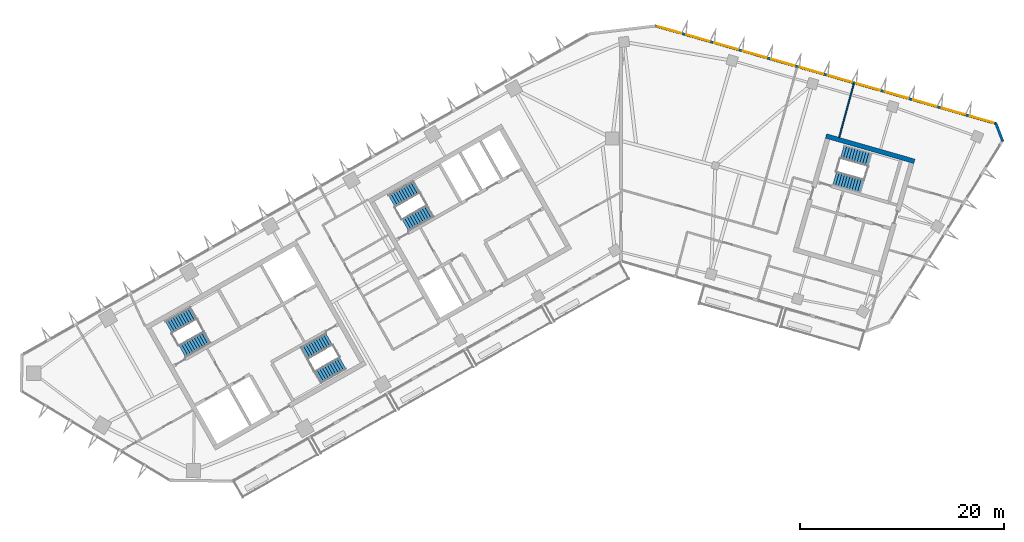
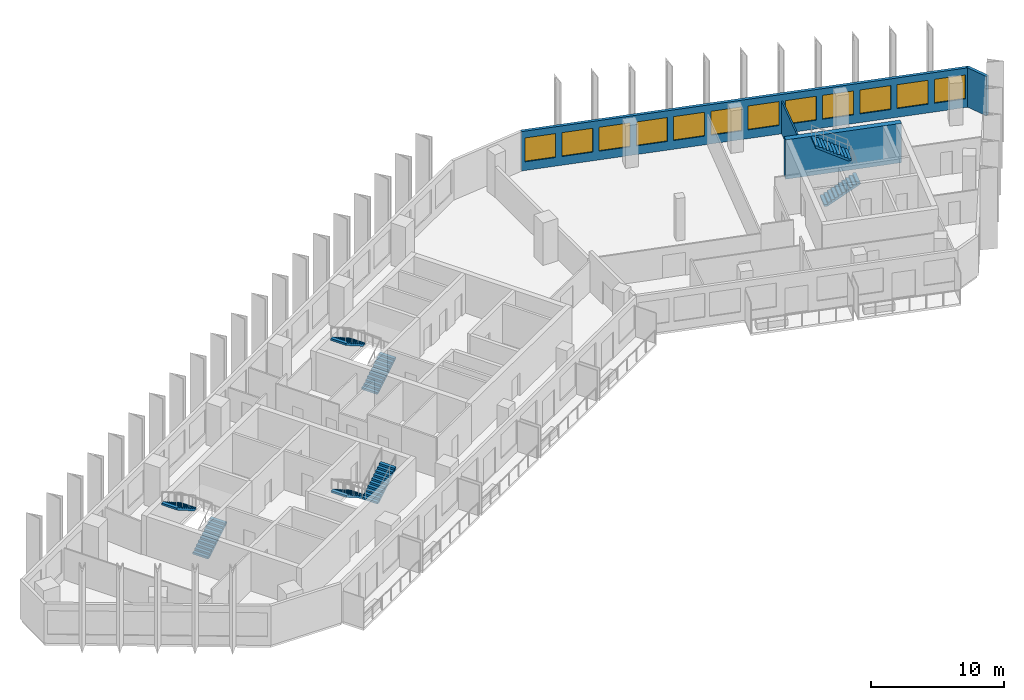
# One storey, part 8 of 11: 12 windows, 8 stair flights, 4 walls, 12 openings, 4 elements without a shape of their own.
"""IFC4 building model written with IfcOpenShell, lengths in metres."""

from ifc_helpers import new_model, si_unit, direction, frame, frame_2d, origin, place, context, subcontext, project, spatial, polyline, rectangle, outline, extrude, material, layer, layer_set, type_object, element, fill, aggregate, save


model = new_model("IFC4")

# Units and contexts
model_context = context("Model", 3, precision=1e-05, world=origin(), true_north=direction((0.0, 1.0)))
body_context = subcontext(model_context, "Body", "Model", "MODEL_VIEW")
ifc_project = project(units=[si_unit("LENGTHUNIT", "METRE"), si_unit("AREAUNIT", "SQUARE_METRE"), si_unit("VOLUMEUNIT", "CUBIC_METRE"), si_unit("PLANEANGLEUNIT", "RADIAN"), si_unit("MASSUNIT", "GRAM", prefix="KILO")], contexts=[model_context])

# Site, building, storey
site_placement = place(None, origin())
site = spatial("IfcSite", under=ifc_project, at=site_placement, CompositionType="ELEMENT")
building_placement = place(site_placement, origin())
building = spatial("IfcBuilding", under=site, at=building_placement, Name="Binnacle Exchange Tower", CompositionType="ELEMENT")
storey_placement = place(building_placement, frame((0.0, 0.0, 223.10009765625)))
storey = spatial("IfcBuildingStorey", under=building, at=storey_placement, Name="L49", CompositionType="ELEMENT", Elevation=223.10009765625)

# Walls
ifc_material_1 = material(Name="Concrete C70/85", Category="concrete")
ifc_layer_1 = layer(ifc_material_1, 0.449951171875)
ifc_layer_set_1 = layer_set([ifc_layer_1], Name="Core wall - outer 450")
wall_type_1 = type_object("IfcWallType", Name="Core wall - outer 450", PredefinedType="SOLIDWALL", material=ifc_layer_set_1)
wall_1_placement = place(storey_placement, frame((20.073486328125, 60.251708984375, 0.0), z_axis=(0.0, 0.0, 1.0), x_axis=(0.96126248289, -0.275634611374, 0.0)))
element("IfcWall", 1, at=wall_1_placement, inside=storey, type_object=wall_type_1, Name="Core wall CRWD6", PredefinedType="SOLIDWALL", context=body_context, shape_type="SweptSolid", body=[
    extrude(rectangle(XDim=9.0, YDim=0.449951171875, at=frame_2d((4.5, 0.0))), origin(), (0.0, 0.0, 1.0), 3.619873046875),
])
ifc_material_2 = material(Name="Bronze aluminium cladding", Category="aluminium")
ifc_layer_2 = layer(ifc_material_2, 0.25)
ifc_layer_set_2 = layer_set([ifc_layer_2], Name="External wall - window wall 250")
wall_type_2 = type_object("IfcWallType", Name="External wall - window wall 250", PredefinedType="STANDARD", material=ifc_layer_set_2)
wall_2_placement = place(storey_placement, frame((36.68994140625, 61.531005859375, 0.0), z_axis=(0.0, 0.0, 1.0), x_axis=(0.358377147136, -0.933576895821, 0.0)))
element("IfcWall", 2, at=wall_2_placement, inside=storey, type_object=wall_type_2, Name="External wall EW-G05 L49", PredefinedType="STANDARD", context=body_context, shape_type="SweptSolid", body=[
    extrude(rectangle(XDim=1.929931640625, YDim=0.25, at=frame_2d((0.96484375, 0.0))), origin(), (0.0, 0.0, 1.0), 3.619873046875),
])

# Wall, openings, windows
wall_3_placement = place(storey_placement, frame((3.34033203125, 71.042236328125, 0.0), z_axis=(0.0, 0.0, 1.0), x_axis=(0.96126179431, -0.275637012753, 0.0)))
wall_3 = element("IfcWall", 3, at=wall_3_placement, inside=storey, type_object=wall_type_2, Name="External wall EW-G06 L49", PredefinedType="STANDARD", context=body_context, shape_type="SweptSolid", body=[
    extrude(rectangle(XDim=34.779052734375, YDim=0.25, at=frame_2d((17.3896484375, 0.0))), origin(), (0.0, 0.0, 1.0), 3.619873046875),
])
opening_1_placement = place(wall_3_placement, frame((32.0712890625, 0.0, 0.800048828125)))
opening_1 = element("IfcOpeningElement", 4, at=opening_1_placement, cuts=wall_3, Name="Opening WR1", PredefinedType="OPENING", context=body_context, shape_type="SweptSolid", body=[
    extrude(rectangle(XDim=2.39990234375, YDim=2.199951171875, at=frame_2d((1.199951171875, 1.10009765625))), frame((0.0, 0.135009765625, 0.0), z_axis=(0.0, -1.0, 0.0), x_axis=(1.0, 0.0, 0.0)), (0.0, 0.0, 1.0), 0.27001953125),
])
opening_2_placement = place(wall_3_placement, frame((29.180419921875, 0.0, 0.800048828125)))
opening_2 = element("IfcOpeningElement", 5, at=opening_2_placement, cuts=wall_3, Name="Opening WR1", PredefinedType="OPENING", context=body_context, shape_type="SweptSolid", body=[
    extrude(rectangle(XDim=2.39990234375, YDim=2.199951171875, at=frame_2d((1.199951171875, 1.10009765625))), frame((0.0, 0.135009765625, 0.0), z_axis=(0.0, -1.0, 0.0), x_axis=(1.0, 0.0, 0.0)), (0.0, 0.0, 1.0), 0.27001953125),
])
opening_3_placement = place(wall_3_placement, frame((26.289306640625, 0.0, 0.800048828125)))
opening_3 = element("IfcOpeningElement", 6, at=opening_3_placement, cuts=wall_3, Name="Opening WR1", PredefinedType="OPENING", context=body_context, shape_type="SweptSolid", body=[
    extrude(rectangle(XDim=2.39990234375, YDim=2.199951171875, at=frame_2d((1.199951171875, 1.10009765625))), frame((0.0, 0.135009765625, 0.0), z_axis=(0.0, -1.0, 0.0), x_axis=(1.0, 0.0, 0.0)), (0.0, 0.0, 1.0), 0.27001953125),
])
opening_4_placement = place(wall_3_placement, frame((23.3984375, 0.0, 0.800048828125)))
opening_4 = element("IfcOpeningElement", 7, at=opening_4_placement, cuts=wall_3, Name="Opening WR1", PredefinedType="OPENING", context=body_context, shape_type="SweptSolid", body=[
    extrude(rectangle(XDim=2.39990234375, YDim=2.199951171875, at=frame_2d((1.199951171875, 1.10009765625))), frame((0.0, 0.135009765625, 0.0), z_axis=(0.0, -1.0, 0.0), x_axis=(1.0, 0.0, 0.0)), (0.0, 0.0, 1.0), 0.27001953125),
])
opening_5_placement = place(wall_3_placement, frame((20.507568359375, 0.0, 0.800048828125)))
opening_5 = element("IfcOpeningElement", 8, at=opening_5_placement, cuts=wall_3, Name="Opening WR1", PredefinedType="OPENING", context=body_context, shape_type="SweptSolid", body=[
    extrude(rectangle(XDim=2.39990234375, YDim=2.199951171875, at=frame_2d((1.199951171875, 1.10009765625))), frame((0.0, 0.135009765625, 0.0), z_axis=(0.0, -1.0, 0.0), x_axis=(1.0, 0.0, 0.0)), (0.0, 0.0, 1.0), 0.27001953125),
])
opening_6_placement = place(wall_3_placement, frame((17.616455078125, 0.0, 0.800048828125)))
opening_6 = element("IfcOpeningElement", 9, at=opening_6_placement, cuts=wall_3, Name="Opening WR1", PredefinedType="OPENING", context=body_context, shape_type="SweptSolid", body=[
    extrude(rectangle(XDim=2.39990234375, YDim=2.199951171875, at=frame_2d((1.199951171875, 1.10009765625))), frame((0.0, 0.135009765625, 0.0), z_axis=(0.0, -1.0, 0.0), x_axis=(1.0, 0.0, 0.0)), (0.0, 0.0, 1.0), 0.27001953125),
])
opening_7_placement = place(wall_3_placement, frame((14.7255859375, 0.0, 0.800048828125)))
opening_7 = element("IfcOpeningElement", 10, at=opening_7_placement, cuts=wall_3, Name="Opening WR1", PredefinedType="OPENING", context=body_context, shape_type="SweptSolid", body=[
    extrude(rectangle(XDim=2.39990234375, YDim=2.199951171875, at=frame_2d((1.199951171875, 1.10009765625))), frame((0.0, 0.135009765625, 0.0), z_axis=(0.0, -1.0, 0.0), x_axis=(1.0, 0.0, 0.0)), (0.0, 0.0, 1.0), 0.27001953125),
])
opening_8_placement = place(wall_3_placement, frame((11.83447265625, 0.0, 0.800048828125)))
opening_8 = element("IfcOpeningElement", 11, at=opening_8_placement, cuts=wall_3, Name="Opening WR1", PredefinedType="OPENING", context=body_context, shape_type="SweptSolid", body=[
    extrude(rectangle(XDim=2.39990234375, YDim=2.199951171875, at=frame_2d((1.199951171875, 1.10009765625))), frame((0.0, 0.135009765625, 0.0), z_axis=(0.0, -1.0, 0.0), x_axis=(1.0, 0.0, 0.0)), (0.0, 0.0, 1.0), 0.27001953125),
])
opening_9_placement = place(wall_3_placement, frame((8.943603515625, 0.0, 0.800048828125)))
opening_9 = element("IfcOpeningElement", 12, at=opening_9_placement, cuts=wall_3, Name="Opening WR1", PredefinedType="OPENING", context=body_context, shape_type="SweptSolid", body=[
    extrude(rectangle(XDim=2.39990234375, YDim=2.199951171875, at=frame_2d((1.199951171875, 1.10009765625))), frame((0.0, 0.135009765625, 0.0), z_axis=(0.0, -1.0, 0.0), x_axis=(1.0, 0.0, 0.0)), (0.0, 0.0, 1.0), 0.27001953125),
])
opening_10_placement = place(wall_3_placement, frame((6.052490234375, 0.0, 0.800048828125)))
opening_10 = element("IfcOpeningElement", 13, at=opening_10_placement, cuts=wall_3, Name="Opening WR1", PredefinedType="OPENING", context=body_context, shape_type="SweptSolid", body=[
    extrude(rectangle(XDim=2.39990234375, YDim=2.199951171875, at=frame_2d((1.199951171875, 1.10009765625))), frame((0.0, 0.135009765625, 0.0), z_axis=(0.0, -1.0, 0.0), x_axis=(1.0, 0.0, 0.0)), (0.0, 0.0, 1.0), 0.27001953125),
])
opening_11_placement = place(wall_3_placement, frame((3.16162109375, 0.0, 0.800048828125)))
opening_11 = element("IfcOpeningElement", 14, at=opening_11_placement, cuts=wall_3, Name="Opening WR1", PredefinedType="OPENING", context=body_context, shape_type="SweptSolid", body=[
    extrude(rectangle(XDim=2.39990234375, YDim=2.199951171875, at=frame_2d((1.199951171875, 1.10009765625))), frame((0.0, 0.135009765625, 0.0), z_axis=(0.0, -1.0, 0.0), x_axis=(1.0, 0.0, 0.0)), (0.0, 0.0, 1.0), 0.27001953125),
])
opening_12_placement = place(wall_3_placement, frame((0.2705078125, 0.0, 0.800048828125)))
opening_12 = element("IfcOpeningElement", 15, at=opening_12_placement, cuts=wall_3, Name="Opening WR1", PredefinedType="OPENING", context=body_context, shape_type="SweptSolid", body=[
    extrude(rectangle(XDim=2.39990234375, YDim=2.199951171875, at=frame_2d((1.199951171875, 1.10009765625))), frame((0.0, 0.135009765625, 0.0), z_axis=(0.0, -1.0, 0.0), x_axis=(1.0, 0.0, 0.0)), (0.0, 0.0, 1.0), 0.27001953125),
])
ifc_material_3 = material(Name="Bronze anodised aluminium frame", Category="aluminium")
window_type = type_object("IfcWindowType", Name="WR1 WINDOW 2400x2200", PartitioningType="SINGLE_PANEL", PredefinedType="WINDOW", material=ifc_material_3)
window_1_placement = place(opening_1_placement, origin())
window_1 = element("IfcWindow", 16, at=window_1_placement, inside=storey, type_object=window_type, Name="Window WR1 L49", OverallHeight=2.199951171875, OverallWidth=2.39990234375, PartitioningType="SINGLE_PANEL", PredefinedType="WINDOW", context=body_context, shape_type="SweptSolid", body=[
    extrude(rectangle(XDim=2.39990234375, YDim=2.199951171875, at=frame_2d((1.199951171875, 1.10009765625))), frame((0.0, 0.030029296875, 0.0), z_axis=(0.0, -1.0, 0.0), x_axis=(1.0, 0.0, 0.0)), (0.0, 0.0, 1.0), 0.06005859375),
])
fill(opening_1, window_1)
window_2_placement = place(opening_2_placement, origin())
window_2 = element("IfcWindow", 17, at=window_2_placement, inside=storey, type_object=window_type, Name="Window WR1 L49", OverallHeight=2.199951171875, OverallWidth=2.39990234375, PartitioningType="SINGLE_PANEL", PredefinedType="WINDOW", context=body_context, shape_type="SweptSolid", body=[
    extrude(rectangle(XDim=2.39990234375, YDim=2.199951171875, at=frame_2d((1.199951171875, 1.10009765625))), frame((0.0, 0.030029296875, 0.0), z_axis=(0.0, -1.0, 0.0), x_axis=(1.0, 0.0, 0.0)), (0.0, 0.0, 1.0), 0.06005859375),
])
fill(opening_2, window_2)
window_3_placement = place(opening_3_placement, origin())
window_3 = element("IfcWindow", 18, at=window_3_placement, inside=storey, type_object=window_type, Name="Window WR1 L49", OverallHeight=2.199951171875, OverallWidth=2.39990234375, PartitioningType="SINGLE_PANEL", PredefinedType="WINDOW", context=body_context, shape_type="SweptSolid", body=[
    extrude(rectangle(XDim=2.39990234375, YDim=2.199951171875, at=frame_2d((1.199951171875, 1.10009765625))), frame((0.0, 0.030029296875, 0.0), z_axis=(0.0, -1.0, 0.0), x_axis=(1.0, 0.0, 0.0)), (0.0, 0.0, 1.0), 0.06005859375),
])
fill(opening_3, window_3)
window_4_placement = place(opening_4_placement, origin())
window_4 = element("IfcWindow", 19, at=window_4_placement, inside=storey, type_object=window_type, Name="Window WR1 L49", OverallHeight=2.199951171875, OverallWidth=2.39990234375, PartitioningType="SINGLE_PANEL", PredefinedType="WINDOW", context=body_context, shape_type="SweptSolid", body=[
    extrude(rectangle(XDim=2.39990234375, YDim=2.199951171875, at=frame_2d((1.199951171875, 1.10009765625))), frame((0.0, 0.030029296875, 0.0), z_axis=(0.0, -1.0, 0.0), x_axis=(1.0, 0.0, 0.0)), (0.0, 0.0, 1.0), 0.06005859375),
])
fill(opening_4, window_4)
window_5_placement = place(opening_5_placement, origin())
window_5 = element("IfcWindow", 20, at=window_5_placement, inside=storey, type_object=window_type, Name="Window WR1 L49", OverallHeight=2.199951171875, OverallWidth=2.39990234375, PartitioningType="SINGLE_PANEL", PredefinedType="WINDOW", context=body_context, shape_type="SweptSolid", body=[
    extrude(rectangle(XDim=2.39990234375, YDim=2.199951171875, at=frame_2d((1.199951171875, 1.10009765625))), frame((0.0, 0.030029296875, 0.0), z_axis=(0.0, -1.0, 0.0), x_axis=(1.0, 0.0, 0.0)), (0.0, 0.0, 1.0), 0.06005859375),
])
fill(opening_5, window_5)
window_6_placement = place(opening_6_placement, origin())
window_6 = element("IfcWindow", 21, at=window_6_placement, inside=storey, type_object=window_type, Name="Window WR1 L49", OverallHeight=2.199951171875, OverallWidth=2.39990234375, PartitioningType="SINGLE_PANEL", PredefinedType="WINDOW", context=body_context, shape_type="SweptSolid", body=[
    extrude(rectangle(XDim=2.39990234375, YDim=2.199951171875, at=frame_2d((1.199951171875, 1.10009765625))), frame((0.0, 0.030029296875, 0.0), z_axis=(0.0, -1.0, 0.0), x_axis=(1.0, 0.0, 0.0)), (0.0, 0.0, 1.0), 0.06005859375),
])
fill(opening_6, window_6)
window_7_placement = place(opening_7_placement, origin())
window_7 = element("IfcWindow", 22, at=window_7_placement, inside=storey, type_object=window_type, Name="Window WR1 L49", OverallHeight=2.199951171875, OverallWidth=2.39990234375, PartitioningType="SINGLE_PANEL", PredefinedType="WINDOW", context=body_context, shape_type="SweptSolid", body=[
    extrude(rectangle(XDim=2.39990234375, YDim=2.199951171875, at=frame_2d((1.199951171875, 1.10009765625))), frame((0.0, 0.030029296875, 0.0), z_axis=(0.0, -1.0, 0.0), x_axis=(1.0, 0.0, 0.0)), (0.0, 0.0, 1.0), 0.06005859375),
])
fill(opening_7, window_7)
window_8_placement = place(opening_8_placement, origin())
window_8 = element("IfcWindow", 23, at=window_8_placement, inside=storey, type_object=window_type, Name="Window WR1 L49", OverallHeight=2.199951171875, OverallWidth=2.39990234375, PartitioningType="SINGLE_PANEL", PredefinedType="WINDOW", context=body_context, shape_type="SweptSolid", body=[
    extrude(rectangle(XDim=2.39990234375, YDim=2.199951171875, at=frame_2d((1.199951171875, 1.10009765625))), frame((0.0, 0.030029296875, 0.0), z_axis=(0.0, -1.0, 0.0), x_axis=(1.0, 0.0, 0.0)), (0.0, 0.0, 1.0), 0.06005859375),
])
fill(opening_8, window_8)
window_9_placement = place(opening_9_placement, origin())
window_9 = element("IfcWindow", 24, at=window_9_placement, inside=storey, type_object=window_type, Name="Window WR1 L49", OverallHeight=2.199951171875, OverallWidth=2.39990234375, PartitioningType="SINGLE_PANEL", PredefinedType="WINDOW", context=body_context, shape_type="SweptSolid", body=[
    extrude(rectangle(XDim=2.39990234375, YDim=2.199951171875, at=frame_2d((1.199951171875, 1.10009765625))), frame((0.0, 0.030029296875, 0.0), z_axis=(0.0, -1.0, 0.0), x_axis=(1.0, 0.0, 0.0)), (0.0, 0.0, 1.0), 0.06005859375),
])
fill(opening_9, window_9)
window_10_placement = place(opening_10_placement, origin())
window_10 = element("IfcWindow", 25, at=window_10_placement, inside=storey, type_object=window_type, Name="Window WR1 L49", OverallHeight=2.199951171875, OverallWidth=2.39990234375, PartitioningType="SINGLE_PANEL", PredefinedType="WINDOW", context=body_context, shape_type="SweptSolid", body=[
    extrude(rectangle(XDim=2.39990234375, YDim=2.199951171875, at=frame_2d((1.199951171875, 1.10009765625))), frame((0.0, 0.030029296875, 0.0), z_axis=(0.0, -1.0, 0.0), x_axis=(1.0, 0.0, 0.0)), (0.0, 0.0, 1.0), 0.06005859375),
])
fill(opening_10, window_10)
window_11_placement = place(opening_11_placement, origin())
window_11 = element("IfcWindow", 26, at=window_11_placement, inside=storey, type_object=window_type, Name="Window WR1 L49", OverallHeight=2.199951171875, OverallWidth=2.39990234375, PartitioningType="SINGLE_PANEL", PredefinedType="WINDOW", context=body_context, shape_type="SweptSolid", body=[
    extrude(rectangle(XDim=2.39990234375, YDim=2.199951171875, at=frame_2d((1.199951171875, 1.10009765625))), frame((0.0, 0.030029296875, 0.0), z_axis=(0.0, -1.0, 0.0), x_axis=(1.0, 0.0, 0.0)), (0.0, 0.0, 1.0), 0.06005859375),
])
fill(opening_11, window_11)
window_12_placement = place(opening_12_placement, origin())
window_12 = element("IfcWindow", 27, at=window_12_placement, inside=storey, type_object=window_type, Name="Window WR1 L49", OverallHeight=2.199951171875, OverallWidth=2.39990234375, PartitioningType="SINGLE_PANEL", PredefinedType="WINDOW", context=body_context, shape_type="SweptSolid", body=[
    extrude(rectangle(XDim=2.39990234375, YDim=2.199951171875, at=frame_2d((1.199951171875, 1.10009765625))), frame((0.0, 0.030029296875, 0.0), z_axis=(0.0, -1.0, 0.0), x_axis=(1.0, 0.0, 0.0)), (0.0, 0.0, 1.0), 0.06005859375),
])
fill(opening_12, window_12)

# Wall
ifc_material_4 = material(Name="Gypsum partition")
ifc_layer_3 = layer(ifc_material_4, 0.125)
ifc_layer_set_3 = layer_set([ifc_layer_3], Name="Partition 125")
wall_type_3 = type_object("IfcWallType", Name="Partition 125", PredefinedType="PARTITIONING", material=ifc_layer_set_3)
wall_4_placement = place(storey_placement, frame((21.360107421875, 60.116943359375, 0.0), z_axis=(0.0, 0.0, 1.0), x_axis=(0.263151767798, 0.964754449124, 0.0)))
element("IfcWall", 28, at=wall_4_placement, inside=storey, type_object=wall_type_3, Name="Partition W34", PredefinedType="PARTITIONING", context=body_context, shape_type="SweptSolid", body=[
    extrude(rectangle(XDim=5.41064453125, YDim=0.125, at=frame_2d((2.705322265625, 0.0))), origin(), (0.0, 0.0, 1.0), 3.0),
])

# Stair, stair flights
ifc_material_5 = material(Name="Concrete C35/45", Category="concrete")
stair_type = type_object("IfcStairType", Name="STAIR 22 RISERS 177", PredefinedType="HALF_TURN_STAIR", material=ifc_material_5)
stair_1_placement = place(storey_placement, origin())
stair_1 = element("IfcStair", 29, at=stair_1_placement, inside=storey, type_object=stair_type, Name="L49 Escape stair A1", PredefinedType="HALF_TURN_STAIR")
stair_flight_type = type_object("IfcStairFlightType", Name="STAIR FLIGHT 177X280", PredefinedType="STRAIGHT", material=ifc_material_5)
stair_flight_1_placement = place(storey_placement, frame((-42.9541015625, 39.17333984375, 0.0), z_axis=(0.0, 0.0, 1.0), x_axis=(0.870355584213, 0.492423757581, 0.0)))
stair_flight_1 = element("IfcStairFlight", 30, at=stair_flight_1_placement, type_object=stair_flight_type, Name="STA1 flight 1", NumberOfRisers=11, NumberOfTreads=10, PredefinedType="STRAIGHT", RiserHeight=0.177272727, TreadLength=0.28, context=body_context, shape_type="SweptSolid", body=[
    extrude(outline(polyline([(0.0, 0.0), (0.0, 0.17724609375), (0.280029296875, 0.17724609375), (0.280029296875, 0.3544921875), (0.56005859375, 0.3544921875), (0.56005859375, 0.53173828125), (0.840087890625, 0.53173828125), (0.840087890625, 0.708984375), (1.1201171875, 0.708984375), (1.1201171875, 0.886474609375), (1.39990234375, 0.886474609375), (1.39990234375, 1.063720703125), (1.679931640625, 1.063720703125), (1.679931640625, 1.240966796875), (1.9599609375, 1.240966796875), (1.9599609375, 1.418212890625), (2.239990234375, 1.418212890625), (2.239990234375, 1.595458984375), (2.52001953125, 1.595458984375), (2.52001953125, 1.772705078125), (2.800048828125, 1.772705078125), (2.800048828125, 1.949951171875), (2.800048828125, 1.59521484375), (0.2802734375, 0.0), (0.0, 0.0)])), frame((0.0, 0.675048828125, 0.0), z_axis=(0.0, -1.0, 0.0), x_axis=(1.0, 0.0, 0.0)), (0.0, 0.0, 1.0), 1.35009765625),
])
stair_flight_2_placement = place(storey_placement, frame((-41.846435546875, 42.902099609375, 1.949951171875), z_axis=(0.0, 0.0, 1.0), x_axis=(-0.870355584213, -0.492423757581, 0.0)))
stair_flight_2 = element("IfcStairFlight", 31, at=stair_flight_2_placement, type_object=stair_flight_type, Name="STA1 flight 2", NumberOfRisers=11, NumberOfTreads=10, PredefinedType="STRAIGHT", RiserHeight=0.177272727, TreadLength=0.28, context=body_context, shape_type="SweptSolid", body=[
    extrude(outline(polyline([(0.0, 0.0), (0.0, 0.17724609375), (0.280029296875, 0.17724609375), (0.280029296875, 0.3544921875), (0.56005859375, 0.3544921875), (0.56005859375, 0.53173828125), (0.840087890625, 0.53173828125), (0.840087890625, 0.708984375), (1.1201171875, 0.708984375), (1.1201171875, 0.886474609375), (1.39990234375, 0.886474609375), (1.39990234375, 1.063720703125), (1.679931640625, 1.063720703125), (1.679931640625, 1.240966796875), (1.9599609375, 1.240966796875), (1.9599609375, 1.418212890625), (2.239990234375, 1.418212890625), (2.239990234375, 1.595458984375), (2.52001953125, 1.595458984375), (2.52001953125, 1.772705078125), (2.800048828125, 1.772705078125), (2.800048828125, 1.949951171875), (2.800048828125, 1.59521484375), (0.2802734375, 0.0), (0.0, 0.0)])), frame((0.0, 0.675048828125, 0.0), z_axis=(0.0, -1.0, 0.0), x_axis=(1.0, 0.0, 0.0)), (0.0, 0.0, 1.0), 1.35009765625),
])
aggregate(stair_1, [stair_flight_1, stair_flight_2])

stair_2_placement = place(storey_placement, origin())
stair_2 = element("IfcStair", 32, at=stair_2_placement, inside=storey, type_object=stair_type, Name="L49 Escape stair A2", PredefinedType="HALF_TURN_STAIR")
stair_flight_3_placement = place(storey_placement, frame((-28.5732421875, 40.3583984375, 0.0), z_axis=(0.0, 0.0, 1.0), x_axis=(-0.870355584213, -0.492423757581, 0.0)))
stair_flight_3 = element("IfcStairFlight", 33, at=stair_flight_3_placement, type_object=stair_flight_type, Name="STA2 flight 1", NumberOfRisers=11, NumberOfTreads=10, PredefinedType="STRAIGHT", RiserHeight=0.177272727, TreadLength=0.28, context=body_context, shape_type="SweptSolid", body=[
    extrude(outline(polyline([(0.0, 0.0), (0.0, 0.17724609375), (0.280029296875, 0.17724609375), (0.280029296875, 0.3544921875), (0.56005859375, 0.3544921875), (0.56005859375, 0.53173828125), (0.840087890625, 0.53173828125), (0.840087890625, 0.708984375), (1.1201171875, 0.708984375), (1.1201171875, 0.886474609375), (1.39990234375, 0.886474609375), (1.39990234375, 1.063720703125), (1.679931640625, 1.063720703125), (1.679931640625, 1.240966796875), (1.9599609375, 1.240966796875), (1.9599609375, 1.418212890625), (2.239990234375, 1.418212890625), (2.239990234375, 1.595458984375), (2.52001953125, 1.595458984375), (2.52001953125, 1.772705078125), (2.800048828125, 1.772705078125), (2.800048828125, 1.949951171875), (2.800048828125, 1.59521484375), (0.2802734375, 0.0), (0.0, 0.0)])), frame((0.0, 0.675048828125, 0.0), z_axis=(0.0, -1.0, 0.0), x_axis=(1.0, 0.0, 0.0)), (0.0, 0.0, 1.0), 1.35009765625),
])
stair_flight_4_placement = place(storey_placement, frame((-29.6806640625, 36.629638671875, 1.949951171875), z_axis=(0.0, 0.0, 1.0), x_axis=(0.870355584213, 0.492423757581, 0.0)))
stair_flight_4 = element("IfcStairFlight", 34, at=stair_flight_4_placement, type_object=stair_flight_type, Name="STA2 flight 2", NumberOfRisers=11, NumberOfTreads=10, PredefinedType="STRAIGHT", RiserHeight=0.177272727, TreadLength=0.28, context=body_context, shape_type="SweptSolid", body=[
    extrude(outline(polyline([(0.0, 0.0), (0.0, 0.17724609375), (0.280029296875, 0.17724609375), (0.280029296875, 0.3544921875), (0.56005859375, 0.3544921875), (0.56005859375, 0.53173828125), (0.840087890625, 0.53173828125), (0.840087890625, 0.708984375), (1.1201171875, 0.708984375), (1.1201171875, 0.886474609375), (1.39990234375, 0.886474609375), (1.39990234375, 1.063720703125), (1.679931640625, 1.063720703125), (1.679931640625, 1.240966796875), (1.9599609375, 1.240966796875), (1.9599609375, 1.418212890625), (2.239990234375, 1.418212890625), (2.239990234375, 1.595458984375), (2.52001953125, 1.595458984375), (2.52001953125, 1.772705078125), (2.800048828125, 1.772705078125), (2.800048828125, 1.949951171875), (2.800048828125, 1.59521484375), (0.2802734375, 0.0), (0.0, 0.0)])), frame((0.0, 0.675048828125, 0.0), z_axis=(0.0, -1.0, 0.0), x_axis=(1.0, 0.0, 0.0)), (0.0, 0.0, 1.0), 1.35009765625),
])
aggregate(stair_2, [stair_flight_3, stair_flight_4])

stair_3_placement = place(storey_placement, origin())
stair_3 = element("IfcStair", 35, at=stair_3_placement, inside=storey, type_object=stair_type, Name="L49 Escape stair C1", PredefinedType="HALF_TURN_STAIR")
stair_flight_5_placement = place(storey_placement, frame((-21.115966796875, 51.528564453125, 0.0), z_axis=(0.0, 0.0, 1.0), x_axis=(0.870355584213, 0.492423757581, 0.0)))
stair_flight_5 = element("IfcStairFlight", 36, at=stair_flight_5_placement, type_object=stair_flight_type, Name="STC1 flight 1", NumberOfRisers=11, NumberOfTreads=10, PredefinedType="STRAIGHT", RiserHeight=0.177272727, TreadLength=0.28, context=body_context, shape_type="SweptSolid", body=[
    extrude(outline(polyline([(0.0, 0.0), (0.0, 0.17724609375), (0.280029296875, 0.17724609375), (0.280029296875, 0.3544921875), (0.56005859375, 0.3544921875), (0.56005859375, 0.53173828125), (0.840087890625, 0.53173828125), (0.840087890625, 0.708984375), (1.1201171875, 0.708984375), (1.1201171875, 0.886474609375), (1.39990234375, 0.886474609375), (1.39990234375, 1.063720703125), (1.679931640625, 1.063720703125), (1.679931640625, 1.240966796875), (1.9599609375, 1.240966796875), (1.9599609375, 1.418212890625), (2.239990234375, 1.418212890625), (2.239990234375, 1.595458984375), (2.52001953125, 1.595458984375), (2.52001953125, 1.772705078125), (2.800048828125, 1.772705078125), (2.800048828125, 1.949951171875), (2.800048828125, 1.59521484375), (0.2802734375, 0.0), (0.0, 0.0)])), frame((0.0, 0.675048828125, 0.0), z_axis=(0.0, -1.0, 0.0), x_axis=(1.0, 0.0, 0.0)), (0.0, 0.0, 1.0), 1.35009765625),
])
stair_flight_6_placement = place(storey_placement, frame((-20.008544921875, 55.25732421875, 1.949951171875), z_axis=(0.0, 0.0, 1.0), x_axis=(-0.870355584213, -0.492423757581, 0.0)))
stair_flight_6 = element("IfcStairFlight", 37, at=stair_flight_6_placement, type_object=stair_flight_type, Name="STC1 flight 2", NumberOfRisers=11, NumberOfTreads=10, PredefinedType="STRAIGHT", RiserHeight=0.177272727, TreadLength=0.28, context=body_context, shape_type="SweptSolid", body=[
    extrude(outline(polyline([(0.0, 0.0), (0.0, 0.17724609375), (0.280029296875, 0.17724609375), (0.280029296875, 0.3544921875), (0.56005859375, 0.3544921875), (0.56005859375, 0.53173828125), (0.840087890625, 0.53173828125), (0.840087890625, 0.708984375), (1.1201171875, 0.708984375), (1.1201171875, 0.886474609375), (1.39990234375, 0.886474609375), (1.39990234375, 1.063720703125), (1.679931640625, 1.063720703125), (1.679931640625, 1.240966796875), (1.9599609375, 1.240966796875), (1.9599609375, 1.418212890625), (2.239990234375, 1.418212890625), (2.239990234375, 1.595458984375), (2.52001953125, 1.595458984375), (2.52001953125, 1.772705078125), (2.800048828125, 1.772705078125), (2.800048828125, 1.949951171875), (2.800048828125, 1.59521484375), (0.2802734375, 0.0), (0.0, 0.0)])), frame((0.0, 0.675048828125, 0.0), z_axis=(0.0, -1.0, 0.0), x_axis=(1.0, 0.0, 0.0)), (0.0, 0.0, 1.0), 1.35009765625),
])
aggregate(stair_3, [stair_flight_5, stair_flight_6])

stair_4_placement = place(storey_placement, origin())
stair_4 = element("IfcStair", 38, at=stair_4_placement, inside=storey, type_object=stair_type, Name="L49 Escape stair D1", PredefinedType="HALF_TURN_STAIR")
stair_flight_7_placement = place(storey_placement, frame((20.914306640625, 56.109619140625, 0.0), z_axis=(0.0, 0.0, 1.0), x_axis=(0.961261811397, -0.275636953165, 0.0)))
stair_flight_7 = element("IfcStairFlight", 39, at=stair_flight_7_placement, type_object=stair_flight_type, Name="STD1 flight 1", NumberOfRisers=11, NumberOfTreads=10, PredefinedType="STRAIGHT", RiserHeight=0.177272727, TreadLength=0.28, context=body_context, shape_type="SweptSolid", body=[
    extrude(outline(polyline([(0.0, 0.0), (0.0, 0.17724609375), (0.280029296875, 0.17724609375), (0.280029296875, 0.3544921875), (0.56005859375, 0.3544921875), (0.56005859375, 0.53173828125), (0.840087890625, 0.53173828125), (0.840087890625, 0.708984375), (1.1201171875, 0.708984375), (1.1201171875, 0.886474609375), (1.39990234375, 0.886474609375), (1.39990234375, 1.063720703125), (1.679931640625, 1.063720703125), (1.679931640625, 1.240966796875), (1.9599609375, 1.240966796875), (1.9599609375, 1.418212890625), (2.239990234375, 1.418212890625), (2.239990234375, 1.595458984375), (2.52001953125, 1.595458984375), (2.52001953125, 1.772705078125), (2.800048828125, 1.772705078125), (2.800048828125, 1.949951171875), (2.800048828125, 1.59521484375), (0.2802734375, 0.0), (0.0, 0.0)])), frame((0.0, 0.675048828125, 0.0), z_axis=(0.0, -1.0, 0.0), x_axis=(1.0, 0.0, 0.0)), (0.0, 0.0, 1.0), 1.35009765625),
])
stair_flight_8_placement = place(storey_placement, frame((24.35009765625, 57.93310546875, 1.949951171875), z_axis=(0.0, 0.0, 1.0), x_axis=(-0.961261811397, 0.275636953165, 0.0)))
stair_flight_8 = element("IfcStairFlight", 40, at=stair_flight_8_placement, type_object=stair_flight_type, Name="STD1 flight 2", NumberOfRisers=11, NumberOfTreads=10, PredefinedType="STRAIGHT", RiserHeight=0.177272727, TreadLength=0.28, context=body_context, shape_type="SweptSolid", body=[
    extrude(outline(polyline([(0.0, 0.0), (0.0, 0.17724609375), (0.280029296875, 0.17724609375), (0.280029296875, 0.3544921875), (0.56005859375, 0.3544921875), (0.56005859375, 0.53173828125), (0.840087890625, 0.53173828125), (0.840087890625, 0.708984375), (1.1201171875, 0.708984375), (1.1201171875, 0.886474609375), (1.39990234375, 0.886474609375), (1.39990234375, 1.063720703125), (1.679931640625, 1.063720703125), (1.679931640625, 1.240966796875), (1.9599609375, 1.240966796875), (1.9599609375, 1.418212890625), (2.239990234375, 1.418212890625), (2.239990234375, 1.595458984375), (2.52001953125, 1.595458984375), (2.52001953125, 1.772705078125), (2.800048828125, 1.772705078125), (2.800048828125, 1.949951171875), (2.800048828125, 1.59521484375), (0.2802734375, 0.0), (0.0, 0.0)])), frame((0.0, 0.675048828125, 0.0), z_axis=(0.0, -1.0, 0.0), x_axis=(1.0, 0.0, 0.0)), (0.0, 0.0, 1.0), 1.35009765625),
])
aggregate(stair_4, [stair_flight_7, stair_flight_8])

save(model, "model.ifc")
